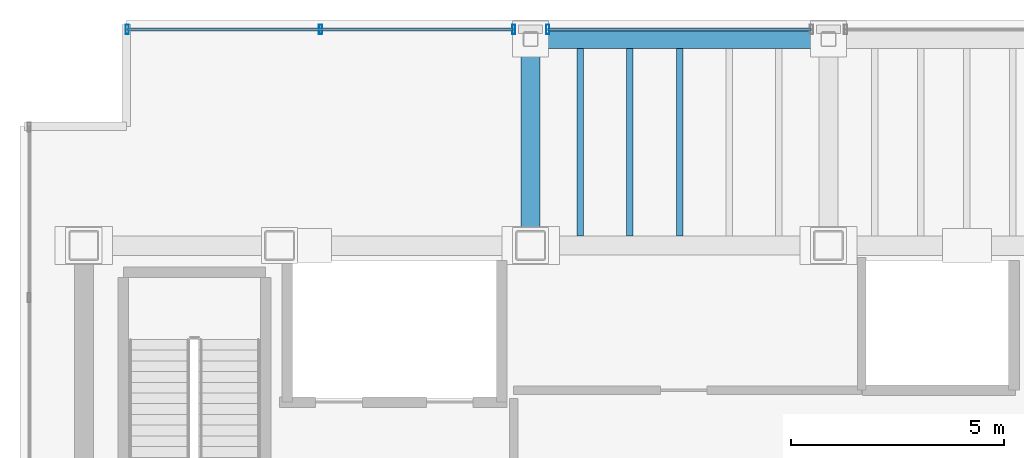
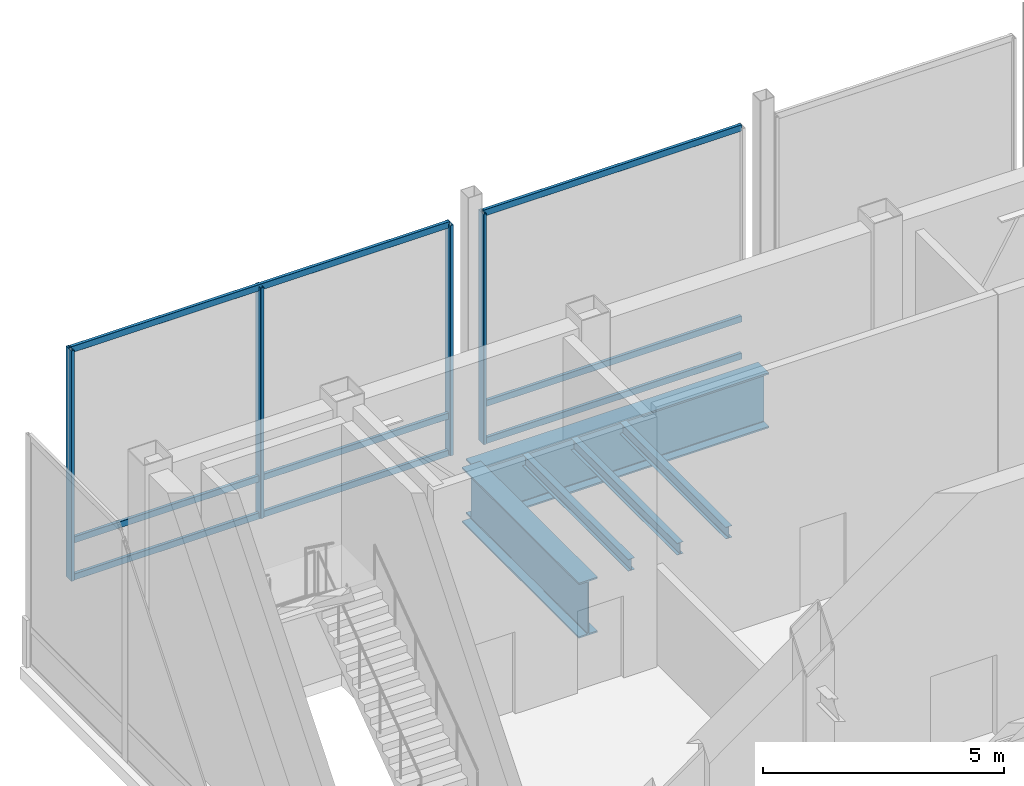
# One storey, part 12 of 19: 10 members, 5 beams, 2 elements without a shape of their own.
"""IFC4 building model written with IfcOpenShell, lengths in metres."""

from ifc_helpers import new_model, si_unit, direction, frame, origin, origin_2d, place, context, subcontext, project, spatial, hollow_rectangle, i_section, extrude, material, material_profile, profile_set, type_object, element, aggregate, save


model = new_model("IFC4")

# Units and contexts
model_context = context("Model", 3, precision=1e-05, world=origin(), true_north=direction((0.0, 1.0)))
body_context = subcontext(model_context, "Body", "Model", "MODEL_VIEW")
ifc_project = project(units=[si_unit("LENGTHUNIT", "METRE"), si_unit("AREAUNIT", "SQUARE_METRE"), si_unit("VOLUMEUNIT", "CUBIC_METRE"), si_unit("PLANEANGLEUNIT", "RADIAN"), si_unit("MASSUNIT", "GRAM", prefix="KILO")], contexts=[model_context])

# Site, building, storey
site_placement = place(None, origin())
site = spatial("IfcSite", under=ifc_project, at=site_placement, CompositionType="ELEMENT")
building_placement = place(site_placement, origin())
building = spatial("IfcBuilding", under=site, at=building_placement, Name="Noeulbin Bourse Tower", CompositionType="ELEMENT")
storey_placement = place(building_placement, frame((0.0, 0.0, 306.0)))
storey = spatial("IfcBuildingStorey", under=building, at=storey_placement, Name="L76", CompositionType="ELEMENT", Elevation=306.0)

# Beams
ifc_material_1 = material(Name="Steel S355", Category="steel")
ifc_material_profile_1 = material_profile(ifc_material_1, i_section(OverallWidth=0.14990234375, OverallDepth=0.300048828125, WebThickness=0.006591796875, FlangeThickness=0.009033203125, FilletRadius=0.012939453125, at=origin_2d()), Name="H-300x150x6.5x9", Category="LoadBearing")
ifc_profile_set_1 = profile_set([ifc_material_profile_1], Name="Steel S355")
beam_type_1 = type_object("IfcBeamType", Name="BM-JST-300", PredefinedType="JOIST", material=ifc_profile_set_1)
for number, where, z_axis, x_axis, name in (
    (1, (25.166748046875, 38.52490234375, -0.449951171875), (0.0, 1.0, 0.0), (-1.0, 0.0, 0.0), "Tower Composite Joist L76-02"),
    (2, (26.333251953125, 38.52490234375, -0.449951171875), (0.0, 1.0, 0.0), (-1.0, 0.0, 0.0), "Tower Composite Joist L76-04"),
    (3, (27.5, 38.52490234375, -0.449951171875), (0.0, 1.0, 0.0), (-1.0, 0.0, 0.0), "Tower Composite Joist L76-06"),
):
    element("IfcBeam", number, at=place(storey_placement, frame(where, z_axis=z_axis, x_axis=x_axis)), inside=storey, type_object=beam_type_1, Name=name, PredefinedType="JOIST", context=body_context, shape_type="SweptSolid", body=[
        extrude(i_section(OverallWidth=0.14990234375, OverallDepth=0.300048828125, WebThickness=0.006591796875, FlangeThickness=0.009033203125, FilletRadius=0.012939453125, at=origin_2d()), origin(), (0.0, 0.0, 1.0), 4.400146484375),
    ])
ifc_material_2 = material(Name="Steel S460", Category="steel")
ifc_material_profile_2 = material_profile(ifc_material_2, i_section(OverallWidth=0.449951171875, OverallDepth=1.39990234375, WebThickness=0.02392578125, FlangeThickness=0.0400390625, FilletRadius=0.02392578125, at=origin_2d()), Name="PG-1400x450x24x40", Category="LoadBearing")
ifc_profile_set_2 = profile_set([ifc_material_profile_2], Name="Steel S460")
beam_type_2 = type_object("IfcBeamType", Name="BM-TRF-1400", PredefinedType="USERDEFINED", material=ifc_profile_set_2)
beam_1_placement = place(storey_placement, frame((24.0, 38.300048828125, -1.0), z_axis=(0.0, 1.0, 0.0), x_axis=(-1.0, 0.0, 0.0)))
element("IfcBeam", 4, at=beam_1_placement, inside=storey, type_object=beam_type_2, Name="Tower Primary Girder NS L76-2.3", ObjectType="GIRDER", PredefinedType="USERDEFINED", context=body_context, shape_type="SweptSolid", body=[
    extrude(i_section(OverallWidth=0.449951171875, OverallDepth=1.39990234375, WebThickness=0.02392578125, FlangeThickness=0.0400390625, FilletRadius=0.02392578125, at=origin_2d()), origin(), (0.0, 0.0, 1.0), 4.849853515625),
])
beam_2_placement = place(storey_placement, frame((24.0, 43.14990234375, -1.0), z_axis=(1.0, 0.0, 0.0), x_axis=(0.0, 1.0, 0.0)))
element("IfcBeam", 5, at=beam_2_placement, inside=storey, type_object=beam_type_2, Name="North Spandrel L76-1", ObjectType="GIRDER", PredefinedType="USERDEFINED", context=body_context, shape_type="SweptSolid", body=[
    extrude(i_section(OverallWidth=0.449951171875, OverallDepth=1.39990234375, WebThickness=0.02392578125, FlangeThickness=0.0400390625, FilletRadius=0.02392578125, at=origin_2d()), origin(), (0.0, 0.0, 1.0), 7.0),
])

# Curtain wall, members
ifc_material_3 = material(Name="Translucent Ceramic-Fritted Glass", Category="glass")
curtain_wall_type = type_object("IfcCurtainWallType", Name="CW-SYS-5", PredefinedType="NOTDEFINED", material=ifc_material_3)
curtain_wall_1_placement = place(storey_placement, origin())
curtain_wall_1 = element("IfcCurtainWall", 6, at=curtain_wall_1_placement, inside=storey, type_object=curtain_wall_type, Name="Unitised Curtain Wall CW-L76-N-S1", PredefinedType="NOTDEFINED")
ifc_material_4 = material(Name="Anodised Aluminium 6063-T6", Category="aluminium")
ifc_material_profile_3 = material_profile(ifc_material_4, hollow_rectangle(XDim=0.074951171875, YDim=0.219970703125, WallThickness=0.0048828125, InnerFilletRadius=0.00244140625, OuterFilletRadius=0.0048828125, at=origin_2d()), Name="ALU-MULL-75x220x5", Category="LoadBearing")
ifc_profile_set_3 = profile_set([ifc_material_profile_3], Name="Anodised Aluminium 6063-T6")
member_type_1 = type_object("IfcMemberType", Name="CW-SYS-5-MUL", PredefinedType="MULLION", material=ifc_profile_set_3)
member_1_placement = place(storey_placement, frame((14.52001953125, 43.3798828125, -0.02001953125), z_axis=(0.0, 0.0, 1.0), x_axis=(1.0, 0.0, 0.0)))
member_1 = element("IfcMember", 7, at=member_1_placement, type_object=member_type_1, Name="Curtain Wall Mullion CW-L76-N-S1-M00", PredefinedType="MULLION", context=body_context, shape_type="SweptSolid", body=[
    extrude(hollow_rectangle(XDim=0.074951171875, YDim=0.219970703125, WallThickness=0.0048828125, InnerFilletRadius=0.00244140625, OuterFilletRadius=0.0048828125, at=origin_2d()), origin(), (0.0, 0.0, 1.0), 5.840087890625),
])
member_2_placement = place(storey_placement, frame((19.06005859375, 43.3798828125, -0.02001953125), z_axis=(0.0, 0.0, 1.0), x_axis=(1.0, 0.0, 0.0)))
member_2 = element("IfcMember", 8, at=member_2_placement, type_object=member_type_1, Name="Curtain Wall Mullion CW-L76-N-S1-M01", PredefinedType="MULLION", context=body_context, shape_type="SweptSolid", body=[
    extrude(hollow_rectangle(XDim=0.074951171875, YDim=0.219970703125, WallThickness=0.0048828125, InnerFilletRadius=0.00244140625, OuterFilletRadius=0.0048828125, at=origin_2d()), origin(), (0.0, 0.0, 1.0), 5.840087890625),
])
member_3_placement = place(storey_placement, frame((23.60009765625, 43.3798828125, -0.02001953125), z_axis=(0.0, 0.0, 1.0), x_axis=(1.0, 0.0, 0.0)))
member_3 = element("IfcMember", 9, at=member_3_placement, type_object=member_type_1, Name="Curtain Wall Mullion CW-L76-N-S1-M02", PredefinedType="MULLION", context=body_context, shape_type="SweptSolid", body=[
    extrude(hollow_rectangle(XDim=0.074951171875, YDim=0.219970703125, WallThickness=0.0048828125, InnerFilletRadius=0.00244140625, OuterFilletRadius=0.0048828125, at=origin_2d()), origin(), (0.0, 0.0, 1.0), 5.840087890625),
])

# Curtain wall, member
curtain_wall_2_placement = place(storey_placement, origin())
curtain_wall_2 = element("IfcCurtainWall", 10, at=curtain_wall_2_placement, inside=storey, type_object=curtain_wall_type, Name="Unitised Curtain Wall CW-L76-N-S2", PredefinedType="NOTDEFINED")
member_4_placement = place(storey_placement, frame((24.39990234375, 43.3798828125, -0.02001953125), z_axis=(0.0, 0.0, 1.0), x_axis=(1.0, 0.0, 0.0)))
member_4 = element("IfcMember", 11, at=member_4_placement, type_object=member_type_1, Name="Curtain Wall Mullion CW-L76-N-S2-M00", PredefinedType="MULLION", context=body_context, shape_type="SweptSolid", body=[
    extrude(hollow_rectangle(XDim=0.074951171875, YDim=0.219970703125, WallThickness=0.0048828125, InnerFilletRadius=0.00244140625, OuterFilletRadius=0.0048828125, at=origin_2d()), origin(), (0.0, 0.0, 1.0), 5.840087890625),
])

# Member
ifc_material_profile_4 = material_profile(ifc_material_4, hollow_rectangle(XDim=0.074951171875, YDim=0.159912109375, WallThickness=0.0048828125, InnerFilletRadius=0.00244140625, OuterFilletRadius=0.0048828125, at=origin_2d()), Name="ALU-TRAN-75x160x5", Category="LoadBearing")
ifc_profile_set_4 = profile_set([ifc_material_profile_4], Name="Anodised Aluminium 6063-T6")
member_type_2 = type_object("IfcMemberType", Name="CW-SYS-5-TRN", PredefinedType="USERDEFINED", material=ifc_profile_set_4)
member_5_placement = place(storey_placement, frame((14.530029296875, 43.3798828125, 0.010009765625), z_axis=(1.0, 0.0, 0.0), x_axis=(0.0, 1.0, 0.0)))
member_5 = element("IfcMember", 12, at=member_5_placement, type_object=member_type_2, Name="Curtain Wall Transom CW-L76-N-S1-T00", ObjectType="TRANSOM", PredefinedType="USERDEFINED", context=body_context, shape_type="SweptSolid", body=[
    extrude(hollow_rectangle(XDim=0.074951171875, YDim=0.159912109375, WallThickness=0.0048828125, InnerFilletRadius=0.00244140625, OuterFilletRadius=0.0048828125, at=origin_2d()), origin(), (0.0, 0.0, 1.0), 9.06005859375),
])

member_6_placement = place(storey_placement, frame((14.530029296875, 43.3798828125, 0.949951171875), z_axis=(1.0, 0.0, 0.0), x_axis=(0.0, 1.0, 0.0)))
member_6 = element("IfcMember", 13, at=member_6_placement, type_object=member_type_2, Name="Curtain Wall Transom CW-L76-N-S1-T01", ObjectType="TRANSOM", PredefinedType="USERDEFINED", context=body_context, shape_type="SweptSolid", body=[
    extrude(hollow_rectangle(XDim=0.074951171875, YDim=0.159912109375, WallThickness=0.0048828125, InnerFilletRadius=0.00244140625, OuterFilletRadius=0.0048828125, at=origin_2d()), origin(), (0.0, 0.0, 1.0), 9.06005859375),
])

member_7_placement = place(storey_placement, frame((14.530029296875, 43.3798828125, 5.7900390625), z_axis=(1.0, 0.0, 0.0), x_axis=(0.0, 1.0, 0.0)))
member_7 = element("IfcMember", 14, at=member_7_placement, type_object=member_type_2, Name="Curtain Wall Transom CW-L76-N-S1-T02", ObjectType="TRANSOM", PredefinedType="USERDEFINED", context=body_context, shape_type="SweptSolid", body=[
    extrude(hollow_rectangle(XDim=0.074951171875, YDim=0.159912109375, WallThickness=0.0048828125, InnerFilletRadius=0.00244140625, OuterFilletRadius=0.0048828125, at=origin_2d()), origin(), (0.0, 0.0, 1.0), 9.06005859375),
])

aggregate(curtain_wall_1, [member_1, member_2, member_3, member_5, member_6, member_7])

member_8_placement = place(storey_placement, frame((24.409912109375, 43.3798828125, 0.010009765625), z_axis=(1.0, 0.0, 0.0), x_axis=(0.0, 1.0, 0.0)))
member_8 = element("IfcMember", 15, at=member_8_placement, type_object=member_type_2, Name="Curtain Wall Transom CW-L76-N-S2-T00", ObjectType="TRANSOM", PredefinedType="USERDEFINED", context=body_context, shape_type="SweptSolid", body=[
    extrude(hollow_rectangle(XDim=0.074951171875, YDim=0.159912109375, WallThickness=0.0048828125, InnerFilletRadius=0.00244140625, OuterFilletRadius=0.0048828125, at=origin_2d()), origin(), (0.0, 0.0, 1.0), 6.18017578125),
])

member_9_placement = place(storey_placement, frame((24.409912109375, 43.3798828125, 0.949951171875), z_axis=(1.0, 0.0, 0.0), x_axis=(0.0, 1.0, 0.0)))
member_9 = element("IfcMember", 16, at=member_9_placement, type_object=member_type_2, Name="Curtain Wall Transom CW-L76-N-S2-T01", ObjectType="TRANSOM", PredefinedType="USERDEFINED", context=body_context, shape_type="SweptSolid", body=[
    extrude(hollow_rectangle(XDim=0.074951171875, YDim=0.159912109375, WallThickness=0.0048828125, InnerFilletRadius=0.00244140625, OuterFilletRadius=0.0048828125, at=origin_2d()), origin(), (0.0, 0.0, 1.0), 6.18017578125),
])

member_10_placement = place(storey_placement, frame((24.409912109375, 43.3798828125, 5.7900390625), z_axis=(1.0, 0.0, 0.0), x_axis=(0.0, 1.0, 0.0)))
member_10 = element("IfcMember", 17, at=member_10_placement, type_object=member_type_2, Name="Curtain Wall Transom CW-L76-N-S2-T02", ObjectType="TRANSOM", PredefinedType="USERDEFINED", context=body_context, shape_type="SweptSolid", body=[
    extrude(hollow_rectangle(XDim=0.074951171875, YDim=0.159912109375, WallThickness=0.0048828125, InnerFilletRadius=0.00244140625, OuterFilletRadius=0.0048828125, at=origin_2d()), origin(), (0.0, 0.0, 1.0), 6.18017578125),
])

aggregate(curtain_wall_2, [member_4, member_8, member_9, member_10])

save(model, "model.ifc")
